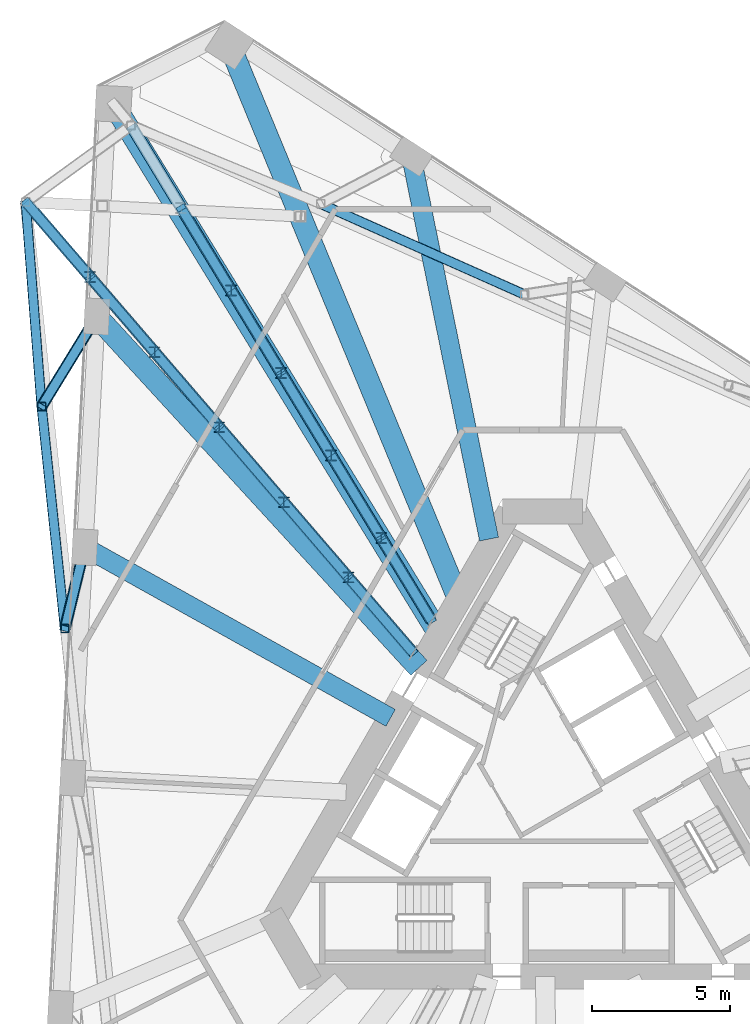
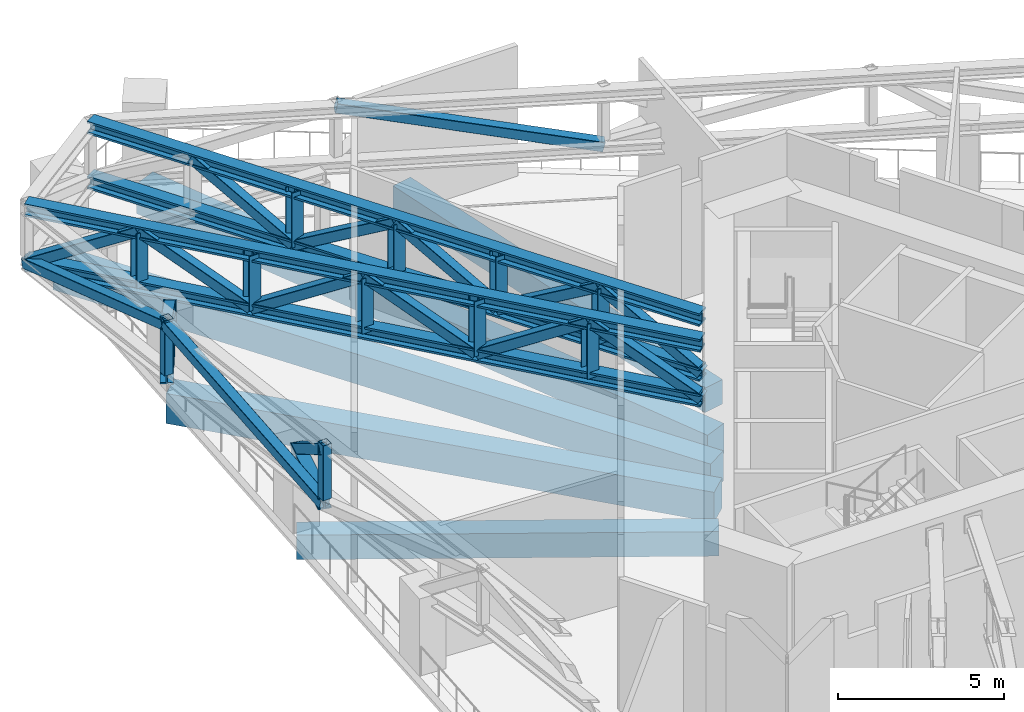
# One storey, part 9 of 26: 33 members, 5 beams.
"""IFC4 building model written with IfcOpenShell, lengths in metres."""

from ifc_helpers import new_model, si_unit, direction, frame, origin, origin_2d, place, context, subcontext, project, spatial, rectangle, hollow_rectangle, i_section, extrude, material, material_profile, profile_set, type_object, element, save


model = new_model("IFC4")

# Units and contexts
model_context = context("Model", 3, precision=1e-05, world=origin(), true_north=direction((0.0, 1.0)))
body_context = subcontext(model_context, "Body", "Model", "MODEL_VIEW")
ifc_project = project(units=[si_unit("LENGTHUNIT", "METRE"), si_unit("AREAUNIT", "SQUARE_METRE"), si_unit("VOLUMEUNIT", "CUBIC_METRE"), si_unit("PLANEANGLEUNIT", "RADIAN"), si_unit("MASSUNIT", "GRAM", prefix="KILO")], contexts=[model_context])

# Site, building, storey
site_placement = place(None, origin())
site = spatial("IfcSite", under=ifc_project, at=site_placement, CompositionType="ELEMENT")
building_placement = place(site_placement, origin())
building = spatial("IfcBuilding", under=site, at=building_placement, Name="Tramontana Tower", CompositionType="ELEMENT")
storey_placement = place(building_placement, frame((0.0, 0.0, 157.60009765625)))
storey = spatial("IfcBuildingStorey", under=building, at=storey_placement, Name="L36", CompositionType="ELEMENT", Elevation=157.60009765625)

# Members
ifc_material_1 = material(Name="Steel ASTM A500 Grade C", Category="steel")
ifc_material_profile_1 = material_profile(ifc_material_1, hollow_rectangle(XDim=0.3046875, YDim=0.3046875, WallThickness=0.01171875, InnerFilletRadius=0.01171875, OuterFilletRadius=0.023681640625, at=origin_2d()), Name="HSS12X12X1/2")
ifc_profile_set_1 = profile_set([ifc_material_profile_1], Name="Steel ASTM A500 Grade C")
member_type_1 = type_object("IfcMemberType", Name="Belt truss HSS12X12X1/2 post", PredefinedType="POST", material=ifc_profile_set_1)
for number, where, z_axis, x_axis, name in (
    (1, (-18.149169921875, 14.347412109375, 2.8349609375), (0.0, 0.0, 1.0), (1.0, 0.0, 0.0), "Belt truss post C4F01"),
    (2, (-17.30419921875, 6.30859375, 2.8349609375), (0.0, 0.0, 1.0), (1.0, 0.0, 0.0), "Belt truss post C4F02"),
):
    element("IfcMember", number, at=place(storey_placement, frame(where, z_axis=z_axis, x_axis=x_axis)), inside=storey, type_object=member_type_1, Name=name, PredefinedType="POST", context=body_context, shape_type="SweptSolid", body=[
        extrude(hollow_rectangle(XDim=0.3046875, YDim=0.3046875, WallThickness=0.01171875, InnerFilletRadius=0.01171875, OuterFilletRadius=0.023681640625, at=origin_2d()), origin(), (0.0, 0.0, 1.0), 2.014892578125),
    ])
ifc_material_2 = material(Name="Steel ASTM A500 Grade C", Category="steel")
ifc_material_profile_2 = material_profile(ifc_material_2, hollow_rectangle(XDim=0.355712890625, YDim=0.355712890625, WallThickness=0.01171875, InnerFilletRadius=0.01171875, OuterFilletRadius=0.023681640625, at=origin_2d()), Name="HSS14X14X1/2")
ifc_profile_set_2 = profile_set([ifc_material_profile_2], Name="Steel ASTM A500 Grade C")
member_type_2 = type_object("IfcMemberType", Name="Belt truss HSS14X14X1/2 brace", PredefinedType="BRACE", material=ifc_profile_set_2)
member_1_placement = place(storey_placement, frame((-18.727294921875, 21.760498046875, 2.617431640625), z_axis=(0.07504455811, -0.962268987516, 0.261546764391), x_axis=(0.996972808424, 0.077751008113, 0.0)))
element("IfcMember", 3, at=member_1_placement, inside=storey, type_object=member_type_2, Name="Belt truss diagonal S0.1", PredefinedType="BRACE", context=body_context, shape_type="SweptSolid", body=[
    extrude(hollow_rectangle(XDim=0.355712890625, YDim=0.355712890625, WallThickness=0.01171875, InnerFilletRadius=0.01171875, OuterFilletRadius=0.023681640625, at=origin_2d()), origin(), (0.0, 0.0, 1.0), 7.703857421875),
])
member_2_placement = place(storey_placement, frame((-18.149169921875, 14.347412109375, 4.63232421875), z_axis=(0.101431600893, -0.964992291997, -0.241870847203), x_axis=(0.994521164241, 0.104535419244, 0.0)))
element("IfcMember", 4, at=member_2_placement, inside=storey, type_object=member_type_2, Name="Belt truss diagonal S0.2", PredefinedType="BRACE", context=body_context, shape_type="SweptSolid", body=[
    extrude(hollow_rectangle(XDim=0.355712890625, YDim=0.355712890625, WallThickness=0.01171875, InnerFilletRadius=0.01171875, OuterFilletRadius=0.023681640625, at=origin_2d()), origin(), (0.0, 0.0, 1.0), 8.33056640625),
])
member_3_placement = place(storey_placement, frame((-0.652587890625, 18.40673828125, 2.617431640625), z_axis=(-0.886418524301, 0.394660666168, 0.241878395803), x_axis=(-0.40673811554, -0.913544802058, 0.0)))
element("IfcMember", 5, at=member_3_placement, inside=storey, type_object=member_type_2, Name="Belt truss diagonal S2.5", PredefinedType="BRACE", context=body_context, shape_type="SweptSolid", body=[
    extrude(hollow_rectangle(XDim=0.355712890625, YDim=0.355712890625, WallThickness=0.01171875, InnerFilletRadius=0.01171875, OuterFilletRadius=0.023681640625, at=origin_2d()), origin(), (0.0, 0.0, 1.0), 8.330078125),
])

# Beams
ifc_material_3 = material(Name="Concrete 40 MPa", Category="concrete")
ifc_material_profile_3 = material_profile(ifc_material_3, rectangle(XDim=0.699951171875, YDim=0.89990234375, at=origin_2d()), Name="RC GIRDER 700X900 40 MPa")
ifc_profile_set_3 = profile_set([ifc_material_profile_3], Name="Concrete 40 MPa")
beam_type_1 = type_object("IfcBeamType", Name="RC GIRDER 700X900 40 MPa", PredefinedType="BEAM", material=ifc_profile_set_3)
beam_1_placement = place(storey_placement, frame((-16.58837890625, 9.25244140625, -0.800048828125), z_axis=(0.873332247198, -0.487125020917, 0.0), x_axis=(0.487125020917, 0.873332247198, 0.0)))
element("IfcBeam", 6, at=beam_1_placement, inside=storey, type_object=beam_type_1, Name="Radial girder C3F02 L36", PredefinedType="BEAM", context=body_context, shape_type="SweptSolid", body=[
    extrude(rectangle(XDim=0.699951171875, YDim=0.89990234375, at=origin_2d()), origin(), (0.0, 0.0, 1.0), 12.693603515625),
])
beam_2_placement = place(storey_placement, frame((-4.755859375, 23.418212890625, -0.800048828125), z_axis=(0.199014115168, -0.979996623445, 0.0), x_axis=(0.979996623445, 0.199014115168, 0.0)))
element("IfcBeam", 7, at=beam_2_placement, inside=storey, type_object=beam_type_1, Name="Radial girder C3F15 L36", PredefinedType="BEAM", context=body_context, shape_type="SweptSolid", body=[
    extrude(rectangle(XDim=0.699951171875, YDim=0.89990234375, at=origin_2d()), origin(), (0.0, 0.0, 1.0), 14.155517578125),
])
ifc_material_4 = material(Name="Concrete 40 MPa", Category="concrete")
ifc_material_profile_4 = material_profile(ifc_material_4, rectangle(XDim=0.800048828125, YDim=1.10009765625, at=origin_2d()), Name="RC GIRDER 800X1100 40 MPa")
ifc_profile_set_4 = profile_set([ifc_material_profile_4], Name="Concrete 40 MPa")
beam_type_2 = type_object("IfcBeamType", Name="RC GIRDER 800X1100 40 MPa", PredefinedType="BEAM", material=ifc_profile_set_4)
beam_3_placement = place(storey_placement, frame((-15.54638671875, 25.31298828125, -0.900146484375), z_axis=(0.523345221795, -0.852120753664, 0.0), x_axis=(0.852120753664, 0.523345221795, 0.0)))
element("IfcBeam", 8, at=beam_3_placement, inside=storey, type_object=beam_type_2, Name="Radial girder C3K1 L36", PredefinedType="BEAM", context=body_context, shape_type="SweptSolid", body=[
    extrude(rectangle(XDim=0.800048828125, YDim=1.10009765625, at=origin_2d()), origin(), (0.0, 0.0, 1.0), 22.479248046875),
])
beam_4_placement = place(storey_placement, frame((-16.150390625, 17.612548828125, -0.900146484375), z_axis=(0.675852012308, -0.737037351469, 0.0), x_axis=(0.737037351469, 0.675852012308, 0.0)))
element("IfcBeam", 9, at=beam_4_placement, inside=storey, type_object=beam_type_2, Name="Radial girder C3F01 L36", PredefinedType="BEAM", context=body_context, shape_type="SweptSolid", body=[
    extrude(rectangle(XDim=0.800048828125, YDim=1.10009765625, at=origin_2d()), origin(), (0.0, 0.0, 1.0), 17.26953125),
])
beam_5_placement = place(storey_placement, frame((-11.3408203125, 27.4560546875, -0.900146484375), z_axis=(0.381767486968, -0.924258397795, 0.0), x_axis=(0.924258397795, 0.381767486968, 0.0)))
element("IfcBeam", 10, at=beam_5_placement, inside=storey, type_object=beam_type_2, Name="Radial girder C3K6 L36", PredefinedType="BEAM", context=body_context, shape_type="SweptSolid", body=[
    extrude(rectangle(XDim=0.800048828125, YDim=1.10009765625, at=origin_2d()), origin(), (0.0, 0.0, 1.0), 21.641357421875),
])

# Members
ifc_material_5 = material(Name="Steel ASTM A500 Grade C", Category="steel")
ifc_material_profile_5 = material_profile(ifc_material_5, hollow_rectangle(XDim=0.355712890625, YDim=0.355712890625, WallThickness=0.01171875, InnerFilletRadius=0.01171875, OuterFilletRadius=0.023681640625, at=origin_2d()), Name="HSS14X14X1/2")
ifc_profile_set_5 = profile_set([ifc_material_profile_5], Name="Steel ASTM A500 Grade C")
member_type_3 = type_object("IfcMemberType", Name="Transfer truss HSS14X14X1/2 brace", PredefinedType="BRACE", material=ifc_profile_set_5)
member_4_placement = place(storey_placement, frame((-16.150390625, 17.612548828125, 2.617431640625), z_axis=(-0.462017039232, -0.754735053462, 0.465741617782), x_axis=(0.852884337757, -0.522099900794, 0.0)))
element("IfcMember", 11, at=member_4_placement, inside=storey, type_object=member_type_3, Name="Transfer truss strut C4F01 diagonal", PredefinedType="BRACE", context=body_context, shape_type="SweptSolid", body=[
    extrude(hollow_rectangle(XDim=0.355712890625, YDim=0.355712890625, WallThickness=0.01171875, InnerFilletRadius=0.01171875, OuterFilletRadius=0.023681640625, at=origin_2d()), origin(), (0.0, 0.0, 1.0), 4.326171875),
])
member_5_placement = place(storey_placement, frame((-16.58837890625, 9.25244140625, 2.617431640625), z_axis=(-0.196736879601, -0.809090482344, 0.553775398141), x_axis=(0.971686606822, -0.23627343931, 0.0)))
element("IfcMember", 12, at=member_5_placement, inside=storey, type_object=member_type_3, Name="Transfer truss strut C4F02 diagonal", PredefinedType="BRACE", context=body_context, shape_type="SweptSolid", body=[
    extrude(hollow_rectangle(XDim=0.355712890625, YDim=0.355712890625, WallThickness=0.01171875, InnerFilletRadius=0.01171875, OuterFilletRadius=0.023681640625, at=origin_2d()), origin(), (0.0, 0.0, 1.0), 3.638427734375),
])
member_6_placement = place(storey_placement, frame((-4.031494140625, 6.597412109375, 2.617431640625), z_axis=(-0.449231182205, 0.740853309913, 0.499327265554), x_axis=(-0.855080564882, -0.518495156738, 0.0)))
element("IfcMember", 13, at=member_6_placement, inside=storey, type_object=member_type_3, Name="Transfer truss diagonal 5.1", PredefinedType="BRACE", context=body_context, shape_type="SweptSolid", body=[
    extrude(hollow_rectangle(XDim=0.355712890625, YDim=0.355712890625, WallThickness=0.01171875, InnerFilletRadius=0.01171875, OuterFilletRadius=0.023681640625, at=origin_2d()), origin(), (0.0, 0.0, 1.0), 4.03515625),
])
for number, where, z_axis, x_axis, name in (
    (14, (-5.84423828125, 9.5869140625, 4.63232421875), (-0.449211046628, 0.740880602963, -0.499304884555), (-0.855099336373, -0.518464198315, 0.0), "Transfer truss diagonal 5.2"),
    (15, (-7.656982421875, 12.57666015625, 2.617431640625), (-0.449279472821, 0.740833173269, 0.49931369367), (-0.855049604548, -0.51854621179, 0.0), "Transfer truss diagonal 5.3"),
    (16, (-9.469970703125, 15.566162109375, 4.63232421875), (-0.449211046628, 0.740880602963, -0.499304884555), (-0.855099336373, -0.518464198315, 0.0), "Transfer truss diagonal 5.4"),
):
    element("IfcMember", number, at=place(storey_placement, frame(where, z_axis=z_axis, x_axis=x_axis)), inside=storey, type_object=member_type_3, Name=name, PredefinedType="BRACE", context=body_context, shape_type="SweptSolid", body=[
        extrude(hollow_rectangle(XDim=0.355712890625, YDim=0.355712890625, WallThickness=0.01171875, InnerFilletRadius=0.01171875, OuterFilletRadius=0.023681640625, at=origin_2d()), origin(), (0.0, 0.0, 1.0), 4.035400390625),
    ])
member_7_placement = place(storey_placement, frame((-11.28271484375, 18.555908203125, 2.617431640625), z_axis=(-0.449231182205, 0.740853309913, 0.499327265554), x_axis=(-0.855080564882, -0.518495156738, 0.0)))
element("IfcMember", 17, at=member_7_placement, inside=storey, type_object=member_type_3, Name="Transfer truss diagonal 5.5", PredefinedType="BRACE", context=body_context, shape_type="SweptSolid", body=[
    extrude(hollow_rectangle(XDim=0.355712890625, YDim=0.355712890625, WallThickness=0.01171875, InnerFilletRadius=0.01171875, OuterFilletRadius=0.023681640625, at=origin_2d()), origin(), (0.0, 0.0, 1.0), 4.03515625),
])
member_8_placement = place(storey_placement, frame((-4.699462890625, 5.440185546875, 2.617431640625), z_axis=(-0.56827513199, 0.661207343425, 0.489763436123), x_axis=(-0.758391093677, -0.651799776796, 0.0)))
element("IfcMember", 18, at=member_8_placement, inside=storey, type_object=member_type_3, Name="Transfer truss diagonal 6.1", PredefinedType="BRACE", context=body_context, shape_type="SweptSolid", body=[
    extrude(hollow_rectangle(XDim=0.355712890625, YDim=0.355712890625, WallThickness=0.01171875, InnerFilletRadius=0.01171875, OuterFilletRadius=0.023681640625, at=origin_2d()), origin(), (0.0, 0.0, 1.0), 4.114013671875),
])
member_9_placement = place(storey_placement, frame((-7.037353515625, 8.160400390625, 4.63232421875), z_axis=(-0.568297430555, 0.661173942545, -0.489782653965), x_axis=(-0.758362174089, -0.651833424205, 0.0)))
element("IfcMember", 19, at=member_9_placement, inside=storey, type_object=member_type_3, Name="Transfer truss diagonal 6.2", PredefinedType="BRACE", context=body_context, shape_type="SweptSolid", body=[
    extrude(hollow_rectangle(XDim=0.355712890625, YDim=0.355712890625, WallThickness=0.01171875, InnerFilletRadius=0.01171875, OuterFilletRadius=0.023681640625, at=origin_2d()), origin(), (0.0, 0.0, 1.0), 4.11376953125),
])
member_10_placement = place(storey_placement, frame((-9.375244140625, 10.88037109375, 2.617431640625), z_axis=(-0.56833760803, 0.661151643632, 0.489766135437), x_axis=(-0.758328526066, -0.651872569261, 0.0)))
element("IfcMember", 20, at=member_10_placement, inside=storey, type_object=member_type_3, Name="Transfer truss diagonal 6.3", PredefinedType="BRACE", context=body_context, shape_type="SweptSolid", body=[
    extrude(hollow_rectangle(XDim=0.355712890625, YDim=0.355712890625, WallThickness=0.01171875, InnerFilletRadius=0.01171875, OuterFilletRadius=0.023681640625, at=origin_2d()), origin(), (0.0, 0.0, 1.0), 4.114013671875),
])
for number, where, z_axis, x_axis, name in (
    (21, (-11.71337890625, 13.600341796875, 4.63232421875), (-0.568297430555, 0.661173942545, -0.489782653965), (-0.758362174089, -0.651833424205, 0.0), "Transfer truss diagonal 6.4"),
    (22, (-14.05126953125, 16.3203125, 2.617431640625), (-0.568297430555, 0.661173942545, 0.489782653965), (-0.758362174089, -0.651833424205, 0.0), "Transfer truss diagonal 6.5"),
):
    element("IfcMember", number, at=place(storey_placement, frame(where, z_axis=z_axis, x_axis=x_axis)), inside=storey, type_object=member_type_3, Name=name, PredefinedType="BRACE", context=body_context, shape_type="SweptSolid", body=[
        extrude(hollow_rectangle(XDim=0.355712890625, YDim=0.355712890625, WallThickness=0.01171875, InnerFilletRadius=0.01171875, OuterFilletRadius=0.023681640625, at=origin_2d()), origin(), (0.0, 0.0, 1.0), 4.11376953125),
    ])
member_11_placement = place(storey_placement, frame((-16.38916015625, 19.040283203125, 4.63232421875), z_axis=(-0.568315309394, 0.661185045136, -0.489746919539), x_axis=(-0.758357447845, -0.651838922816, 0.0)))
element("IfcMember", 23, at=member_11_placement, inside=storey, type_object=member_type_3, Name="Transfer truss diagonal 6.6", PredefinedType="BRACE", context=body_context, shape_type="SweptSolid", body=[
    extrude(hollow_rectangle(XDim=0.355712890625, YDim=0.355712890625, WallThickness=0.01171875, InnerFilletRadius=0.01171875, OuterFilletRadius=0.023681640625, at=origin_2d()), origin(), (0.0, 0.0, 1.0), 4.1142578125),
])
ifc_material_6 = material(Name="Steel ASTM A992 Grade 50", Category="steel")
ifc_material_profile_6 = material_profile(ifc_material_6, i_section(OverallWidth=0.39697265625, OverallDepth=0.387451171875, WebThickness=0.020751953125, FlangeThickness=0.033447265625, FilletRadius=0.01513671875, at=origin_2d()), Name="W14X176")
ifc_profile_set_6 = profile_set([ifc_material_profile_6], Name="Steel ASTM A992 Grade 50")
member_type_4 = type_object("IfcMemberType", Name="Transfer truss W14X176 post", PredefinedType="POST", material=ifc_profile_set_6)
for number, where, z_axis, x_axis, name in (
    (24, (-5.84423828125, 9.5869140625, 2.617431640625), (0.0, 0.0, 1.0), (1.0, 0.0, 0.0), "Transfer truss post 5.1"),
    (25, (-7.656982421875, 12.57666015625, 2.617431640625), (0.0, 0.0, 1.0), (1.0, 0.0, 0.0), "Transfer truss post 5.2"),
    (26, (-9.469970703125, 15.566162109375, 2.617431640625), (0.0, 0.0, 1.0), (1.0, 0.0, 0.0), "Transfer truss post 5.3"),
    (27, (-11.28271484375, 18.555908203125, 2.617431640625), (0.0, 0.0, 1.0), (1.0, 0.0, 0.0), "Transfer truss post 5.4"),
    (28, (-7.037353515625, 8.160400390625, 2.617431640625), (0.0, 0.0, 1.0), (1.0, 0.0, 0.0), "Transfer truss post 6.1"),
    (29, (-9.375244140625, 10.88037109375, 2.617431640625), (0.0, 0.0, 1.0), (1.0, 0.0, 0.0), "Transfer truss post 6.2"),
    (30, (-11.71337890625, 13.600341796875, 2.617431640625), (0.0, 0.0, 1.0), (1.0, 0.0, 0.0), "Transfer truss post 6.3"),
    (31, (-14.05126953125, 16.3203125, 2.617431640625), (0.0, 0.0, 1.0), (1.0, 0.0, 0.0), "Transfer truss post 6.4"),
    (32, (-16.38916015625, 19.040283203125, 2.617431640625), (0.0, 0.0, 1.0), (1.0, 0.0, 0.0), "Transfer truss post 6.5"),
):
    element("IfcMember", number, at=place(storey_placement, frame(where, z_axis=z_axis, x_axis=x_axis)), inside=storey, type_object=member_type_4, Name=name, PredefinedType="POST", context=body_context, shape_type="SweptSolid", body=[
        extrude(i_section(OverallWidth=0.39697265625, OverallDepth=0.387451171875, WebThickness=0.020751953125, FlangeThickness=0.033447265625, FilletRadius=0.01513671875, at=origin_2d()), origin(), (0.0, 0.0, 1.0), 2.014892578125),
    ])
ifc_material_7 = material(Name="Steel ASTM A992 Grade 50", Category="steel")
ifc_material_profile_7 = material_profile(ifc_material_7, i_section(OverallWidth=0.412841796875, OverallDepth=0.43505859375, WebThickness=0.03662109375, FlangeThickness=0.05712890625, FilletRadius=0.01513671875, at=origin_2d()), Name="W14X311")
ifc_profile_set_7 = profile_set([ifc_material_profile_7], Name="Steel ASTM A992 Grade 50")
member_type_5 = type_object("IfcMemberType", Name="Transfer truss W14X311 strut", PredefinedType="STRUT", material=ifc_profile_set_7)
member_12_placement = place(storey_placement, frame((-16.150390625, 17.612548828125, 2.617431640625), z_axis=(-0.522099900794, -0.852884337757, 0.0), x_axis=(0.852884337757, -0.522099900794, 0.0)))
element("IfcMember", 33, at=member_12_placement, inside=storey, type_object=member_type_5, Name="Transfer truss strut C4F01 bottom", PredefinedType="STRUT", context=body_context, shape_type="SweptSolid", body=[
    extrude(i_section(OverallWidth=0.412841796875, OverallDepth=0.43505859375, WebThickness=0.03662109375, FlangeThickness=0.05712890625, FilletRadius=0.01513671875, at=origin_2d()), origin(), (0.0, 0.0, 1.0), 3.828369140625),
])
member_13_placement = place(storey_placement, frame((-16.58837890625, 9.25244140625, 2.617431640625), z_axis=(-0.23627343931, -0.971686606822, 0.0), x_axis=(0.971686606822, -0.23627343931, 0.0)))
element("IfcMember", 34, at=member_13_placement, inside=storey, type_object=member_type_5, Name="Transfer truss strut C4F02 bottom", PredefinedType="STRUT", context=body_context, shape_type="SweptSolid", body=[
    extrude(i_section(OverallWidth=0.412841796875, OverallDepth=0.43505859375, WebThickness=0.03662109375, FlangeThickness=0.05712890625, FilletRadius=0.01513671875, at=origin_2d()), origin(), (0.0, 0.0, 1.0), 3.029541015625),
])
ifc_material_8 = material(Name="Steel ASTM A992 Grade 50", Category="steel")
ifc_material_profile_8 = material_profile(ifc_material_8, i_section(OverallWidth=0.42236328125, OverallDepth=0.463623046875, WebThickness=0.04443359375, FlangeThickness=0.072998046875, FilletRadius=0.014892578125, at=origin_2d()), Name="W14X398")
ifc_profile_set_8 = profile_set([ifc_material_profile_8], Name="Steel ASTM A992 Grade 50")
member_type_6 = type_object("IfcMemberType", Name="Transfer truss W14X398 chord", PredefinedType="CHORD", material=ifc_profile_set_8)
for number, where, z_axis, x_axis, name in (
    (35, (-4.031494140625, 6.597412109375, 2.617431640625), (-0.518501855806, 0.855076502733, 0.0), (-0.855076502733, -0.518501855806, 0.0), "Transfer truss bottom chord 5"),
    (36, (-4.031494140625, 6.597412109375, 4.63232421875), (-0.518501855806, 0.855076502733, 0.0), (-0.855076502733, -0.518501855806, 0.0), "Transfer truss top chord 5"),
):
    element("IfcMember", number, at=place(storey_placement, frame(where, z_axis=z_axis, x_axis=x_axis)), inside=storey, type_object=member_type_6, Name=name, PredefinedType="CHORD", context=body_context, shape_type="SweptSolid", body=[
        extrude(i_section(OverallWidth=0.42236328125, OverallDepth=0.463623046875, WebThickness=0.04443359375, FlangeThickness=0.072998046875, FilletRadius=0.014892578125, at=origin_2d()), origin(), (0.0, 0.0, 1.0), 20.9775390625),
    ])
for number, where, z_axis, x_axis, name in (
    (37, (-4.699462890625, 5.440185546875, 2.617431640625), (-0.651835257197, 0.758360598578, 0.0), (-0.758360598578, -0.651835257197, 0.0), "Transfer truss bottom chord 6"),
    (38, (-4.699462890625, 5.440185546875, 4.63232421875), (-0.651835257197, 0.758360598578, 0.0), (-0.758360598578, -0.651835257197, 0.0), "Transfer truss top chord 6"),
):
    element("IfcMember", number, at=place(storey_placement, frame(where, z_axis=z_axis, x_axis=x_axis)), inside=storey, type_object=member_type_6, Name=name, PredefinedType="CHORD", context=body_context, shape_type="SweptSolid", body=[
        extrude(i_section(OverallWidth=0.42236328125, OverallDepth=0.463623046875, WebThickness=0.04443359375, FlangeThickness=0.072998046875, FilletRadius=0.014892578125, at=origin_2d()), origin(), (0.0, 0.0, 1.0), 21.5205078125),
    ])

save(model, "model.ifc")
